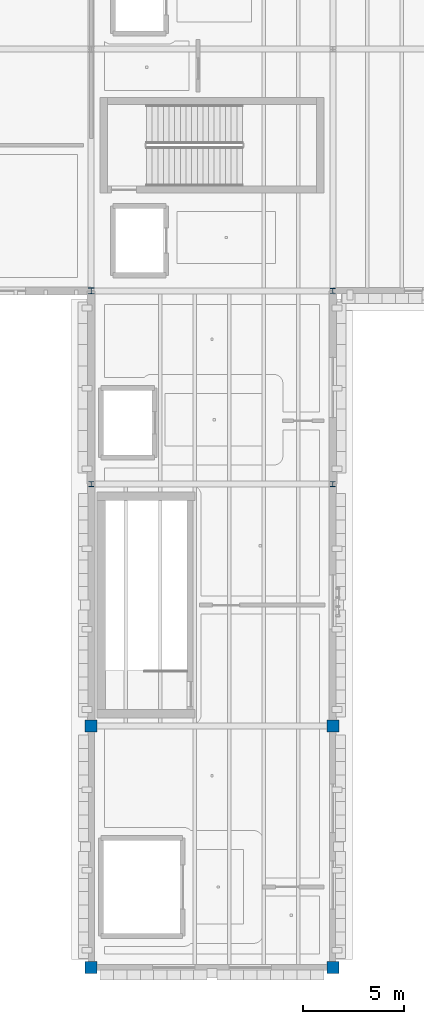
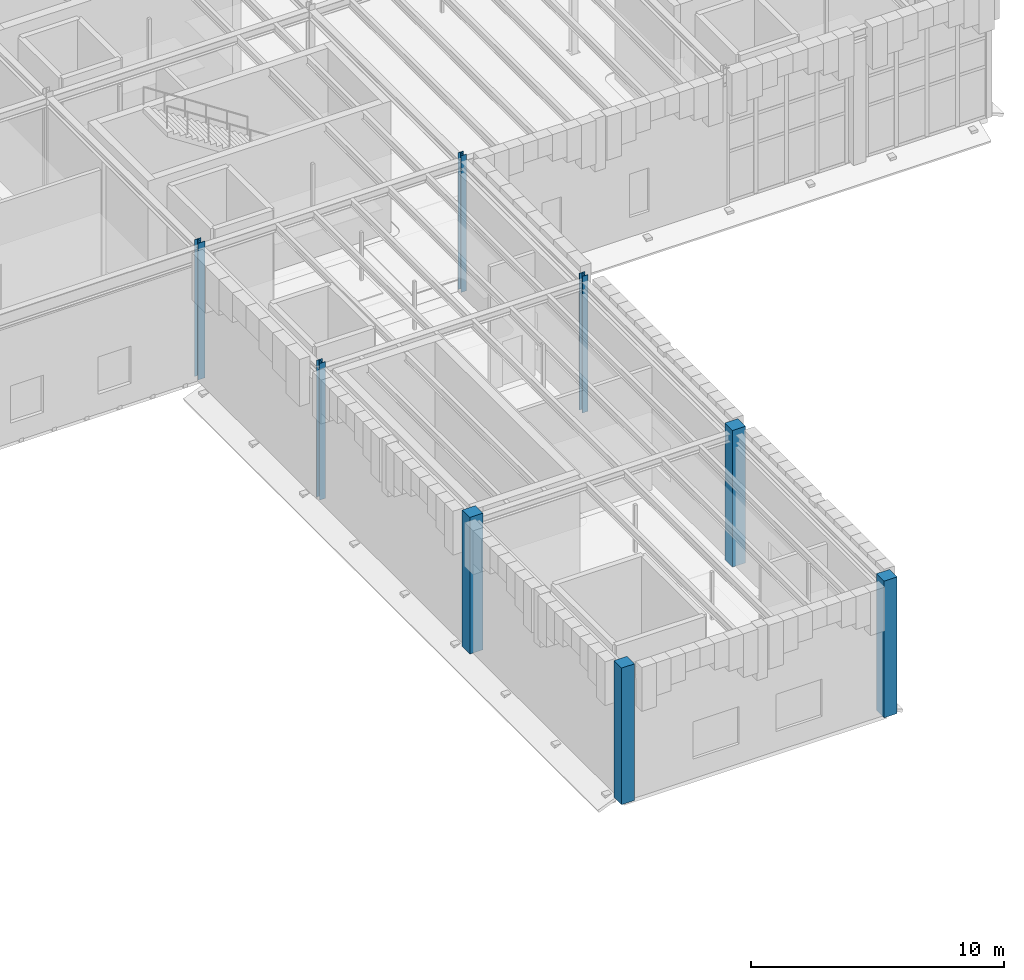
# One storey, part 8 of 62: 8 columns.
"""IFC4 building model written with IfcOpenShell, lengths in metres."""

from ifc_helpers import new_model, si_unit, direction, frame, origin, origin_2d, place, context, subcontext, project, spatial, rectangle, i_section, extrude, material, material_profile, profile_set, type_object, element, save


model = new_model("IFC4")

# Units and contexts
model_context = context("Model", 3, precision=1e-05, world=origin(), true_north=direction((0.0, 1.0)))
body_context = subcontext(model_context, "Body", "Model", "MODEL_VIEW")
ifc_project = project(units=[si_unit("LENGTHUNIT", "METRE"), si_unit("AREAUNIT", "SQUARE_METRE"), si_unit("VOLUMEUNIT", "CUBIC_METRE"), si_unit("PLANEANGLEUNIT", "RADIAN"), si_unit("MASSUNIT", "GRAM", prefix="KILO")], contexts=[model_context])

# Site, building, storey
site_placement = place(None, origin())
site = spatial("IfcSite", under=ifc_project, at=site_placement, CompositionType="ELEMENT")
building_placement = place(site_placement, origin())
building = spatial("IfcBuilding", under=site, at=building_placement, Name="Zlatogorsky Bluff Art Gallery", CompositionType="ELEMENT")
storey_placement = place(building_placement, frame((0.0, 0.0, 16.800048828125)))
storey = spatial("IfcBuildingStorey", under=building, at=storey_placement, Name="L03", CompositionType="ELEMENT", Elevation=16.800048828125)

# Columns
ifc_material_1 = material(Name="Steel S355", Category="steel")
ifc_material_profile_1 = material_profile(ifc_material_1, i_section(OverallWidth=0.300048828125, OverallDepth=0.300048828125, WebThickness=0.010986328125, FlangeThickness=0.01904296875, FilletRadius=0.027099609375, at=origin_2d()), Name="HEB 300")
ifc_profile_set_1 = profile_set([ifc_material_profile_1], Name="Steel S355")
column_type_1 = type_object("IfcColumnType", Name="Column CL-06 HEB 300", PredefinedType="COLUMN", material=ifc_profile_set_1)
column_placement = place(storey_placement, frame((120.0, 84.0, 0.0), z_axis=(0.0, 0.0, 1.0), x_axis=(1.0, 0.0, 0.0)))
element("IfcColumn", 1, at=column_placement, inside=storey, type_object=column_type_1, Name="Column CL-06 L03 L9", PredefinedType="COLUMN", context=body_context, shape_type="SweptSolid", body=[
    extrude(i_section(OverallWidth=0.300048828125, OverallDepth=0.300048828125, WebThickness=0.010986328125, FlangeThickness=0.01904296875, FilletRadius=0.027099609375, at=origin_2d()), origin(), (0.0, 0.0, 1.0), 6.599853515625),
])
ifc_material_profile_2 = material_profile(ifc_material_1, i_section(OverallWidth=0.260009765625, OverallDepth=0.260009765625, WebThickness=0.010009765625, FlangeThickness=0.017578125, FilletRadius=0.02392578125, at=origin_2d()), Name="HEB 260")
ifc_profile_set_2 = profile_set([ifc_material_profile_2], Name="Steel S355")
column_type_2 = type_object("IfcColumnType", Name="Column CL-08 HEB 260", PredefinedType="COLUMN", material=ifc_profile_set_2)
for number, where, z_axis, x_axis, name in (
    (2, (120.0, 74.39990234375, 0.0), (0.0, 0.0, 1.0), (1.0, 0.0, 0.0), "Column CL-08 L03 L8"),
    (3, (132.0, 74.39990234375, 0.0), (0.0, 0.0, 1.0), (1.0, 0.0, 0.0), "Column CL-08 L03 M8"),
    (4, (132.0, 84.0, 0.0), (0.0, 0.0, 1.0), (1.0, 0.0, 0.0), "Column CL-08 L03 M9"),
):
    element("IfcColumn", number, at=place(storey_placement, frame(where, z_axis=z_axis, x_axis=x_axis)), inside=storey, type_object=column_type_2, Name=name, PredefinedType="COLUMN", context=body_context, shape_type="SweptSolid", body=[
        extrude(i_section(OverallWidth=0.260009765625, OverallDepth=0.260009765625, WebThickness=0.010009765625, FlangeThickness=0.017578125, FilletRadius=0.02392578125, at=origin_2d()), origin(), (0.0, 0.0, 1.0), 6.599853515625),
    ])
ifc_material_2 = material(Name="Concrete C35/45", Category="concrete")
ifc_material_profile_3 = material_profile(ifc_material_2, rectangle(XDim=0.60009765625, YDim=0.60009765625, at=origin_2d()), Name="RC 600x600")
ifc_profile_set_3 = profile_set([ifc_material_profile_3], Name="Concrete C35/45")
column_type_3 = type_object("IfcColumnType", Name="Column CL-15 RC 600x600", PredefinedType="COLUMN", material=ifc_profile_set_3)
for number, where, z_axis, x_axis, name in (
    (5, (120.0, 50.39990234375, 0.0), (0.0, 0.0, 1.0), (1.0, 0.0, 0.0), "Column CL-15 L03 L6"),
    (6, (120.0, 62.39990234375, 0.0), (0.0, 0.0, 1.0), (1.0, 0.0, 0.0), "Column CL-15 L03 L7"),
    (7, (132.0, 50.39990234375, 0.0), (0.0, 0.0, 1.0), (1.0, 0.0, 0.0), "Column CL-15 L03 M6"),
    (8, (132.0, 62.39990234375, 0.0), (0.0, 0.0, 1.0), (1.0, 0.0, 0.0), "Column CL-15 L03 M7"),
):
    element("IfcColumn", number, at=place(storey_placement, frame(where, z_axis=z_axis, x_axis=x_axis)), inside=storey, type_object=column_type_3, Name=name, PredefinedType="COLUMN", context=body_context, shape_type="SweptSolid", body=[
        extrude(rectangle(XDim=0.60009765625, YDim=0.60009765625, at=origin_2d()), origin(), (0.0, 0.0, 1.0), 6.599853515625),
    ])

save(model, "model.ifc")
